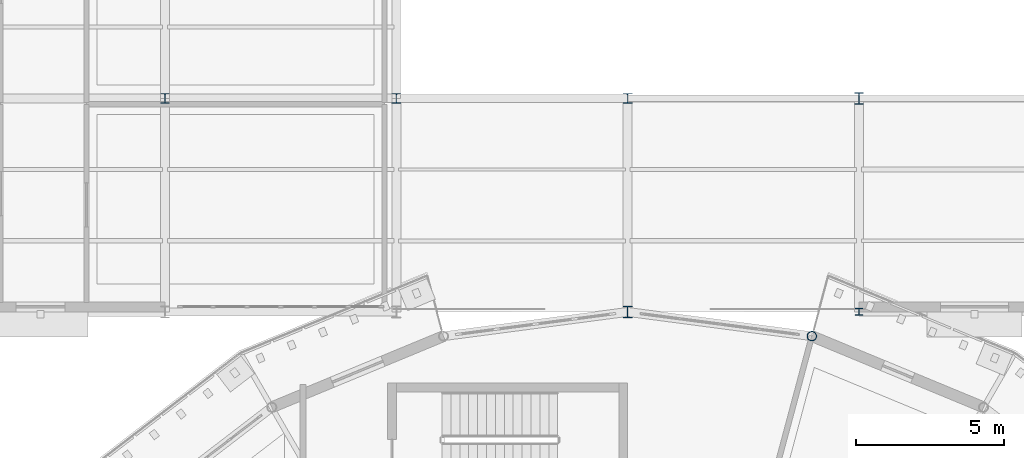
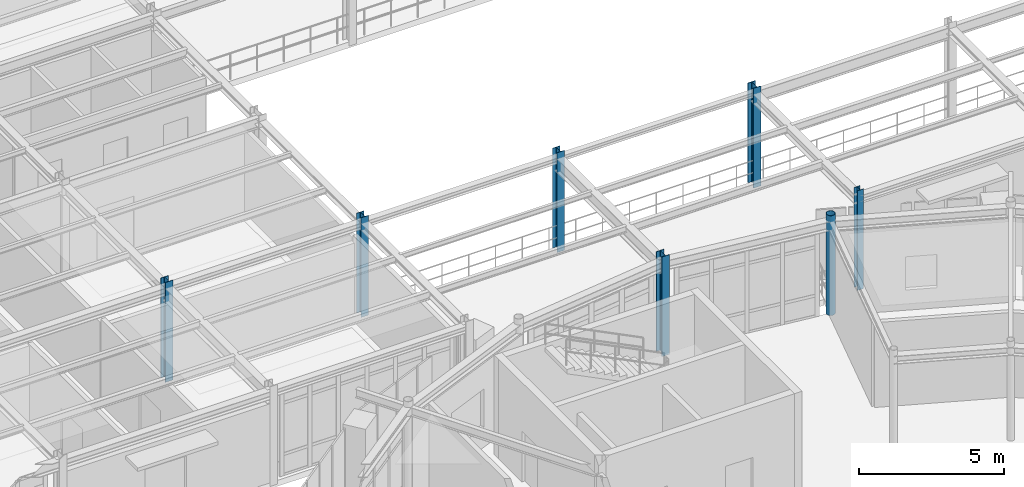
# One storey, part 17 of 90: 7 columns.
"""IFC4 building model written with IfcOpenShell, lengths in metres."""

from ifc_helpers import new_model, si_unit, derived_unit, direction, frame, origin, origin_2d, place, context, subcontext, project, spatial, hollow_circle, i_section, extrude, material, material_profile, profile_set, type_object, element, save


model = new_model("IFC4")

# Units and contexts
model_context = context("Model", 3, precision=1e-05, world=origin(), true_north=direction((0.0, 1.0)))
body_context = subcontext(model_context, "Body", "Model", "MODEL_VIEW")
ifc_project = project(units=[si_unit("LENGTHUNIT", "METRE"), si_unit("AREAUNIT", "SQUARE_METRE"), si_unit("VOLUMEUNIT", "CUBIC_METRE"), si_unit("PLANEANGLEUNIT", "RADIAN"), si_unit("MASSUNIT", "GRAM", prefix="KILO"), derived_unit("THERMALTRANSMITTANCEUNIT", [(si_unit("POWERUNIT", "WATT"), 1), (si_unit("AREAUNIT", "SQUARE_METRE"), -1), (si_unit("THERMODYNAMICTEMPERATUREUNIT", "KELVIN"), -1)])], contexts=[model_context])

# Site, building, storey
site_placement = place(None, origin())
site = spatial("IfcSite", under=ifc_project, at=site_placement, CompositionType="ELEMENT")
building_placement = place(site_placement, origin())
building = spatial("IfcBuilding", under=site, at=building_placement, Name="Yasenodar Specialist Clinic", CompositionType="ELEMENT")
storey_placement = place(building_placement, frame((0.0, 0.0, 9.0)))
storey = spatial("IfcBuildingStorey", under=building, at=storey_placement, Name="L02", CompositionType="ELEMENT", Elevation=9.0)

# Columns
ifc_material = material(Name="Steel S355", Category="steel")
ifc_material_profile_1 = material_profile(ifc_material, hollow_circle(Radius=0.161865234375, WallThickness=0.01611328125, at=origin_2d()), Name="CHS 323.9x16")
ifc_profile_set_1 = profile_set([ifc_material_profile_1], Name="Steel S355")
column_type_1 = type_object("IfcColumnType", Name="COL-ST-CHS324", PredefinedType="COLUMN", material=ifc_profile_set_1)
column_1_placement = place(storey_placement, frame((87.211669921875, 81.982177734375, 0.0), z_axis=(0.0, 0.0, 1.0), x_axis=(1.0, 0.0, 0.0)))
element("IfcColumn", 1, at=column_1_placement, inside=storey, type_object=column_type_1, Name="L02 Drum V1 Outer Column 06", PredefinedType="COLUMN", context=body_context, shape_type="SweptSolid", body=[
    extrude(hollow_circle(Radius=0.161865234375, WallThickness=0.01611328125, at=origin_2d()), origin(), (0.0, 0.0, 1.0), 4.199951171875),
])
ifc_material_profile_2 = material_profile(ifc_material, i_section(OverallWidth=0.300048828125, OverallDepth=0.330078125, WebThickness=0.009521484375, FlangeThickness=0.0166015625, FilletRadius=0.027099609375, at=origin_2d()), Name="HEA 340")
ifc_profile_set_2 = profile_set([ifc_material_profile_2], Name="Steel S355")
column_type_2 = type_object("IfcColumnType", Name="COL-ST-HEA340", PredefinedType="COLUMN", material=ifc_profile_set_2)
for number, where, z_axis, x_axis, name in (
    (2, (65.39990234375, 90.0, 0.0), (0.0, 0.0, 1.0), (1.0, 0.0, 0.0), "L02 Column V5-094"),
    (3, (73.199951171875, 90.0, 0.0), (0.0, 0.0, 1.0), (1.0, 0.0, 0.0), "L02 Column V5-099"),
    (4, (81.0, 90.0, 0.0), (0.0, 0.0, 1.0), (1.0, 0.0, 0.0), "L02 Column V5-104"),
):
    element("IfcColumn", number, at=place(storey_placement, frame(where, z_axis=z_axis, x_axis=x_axis)), inside=storey, type_object=column_type_2, Name=name, PredefinedType="COLUMN", context=body_context, shape_type="SweptSolid", body=[
        extrude(i_section(OverallWidth=0.300048828125, OverallDepth=0.330078125, WebThickness=0.009521484375, FlangeThickness=0.0166015625, FilletRadius=0.027099609375, at=origin_2d()), origin(), (0.0, 0.0, 1.0), 4.199951171875),
    ])
ifc_material_profile_3 = material_profile(ifc_material, i_section(OverallWidth=0.300048828125, OverallDepth=0.389892578125, WebThickness=0.010986328125, FlangeThickness=0.01904296875, FilletRadius=0.027099609375, at=origin_2d()), Name="HEA 400")
ifc_profile_set_3 = profile_set([ifc_material_profile_3], Name="Steel S355")
column_type_3 = type_object("IfcColumnType", Name="COL-ST-HEA400", PredefinedType="COLUMN", material=ifc_profile_set_3)
for number, where, z_axis, x_axis, name in (
    (5, (81.0, 82.800048828125, 0.0), (0.0, 0.0, 1.0), (1.0, 0.0, 0.0), "L02 Column V5-103"),
    (6, (88.800048828125, 90.0, 0.0), (0.0, 0.0, 1.0), (1.0, 0.0, 0.0), "L02 Column V5-108"),
):
    element("IfcColumn", number, at=place(storey_placement, frame(where, z_axis=z_axis, x_axis=x_axis)), inside=storey, type_object=column_type_3, Name=name, PredefinedType="COLUMN", context=body_context, shape_type="SweptSolid", body=[
        extrude(i_section(OverallWidth=0.300048828125, OverallDepth=0.389892578125, WebThickness=0.010986328125, FlangeThickness=0.01904296875, FilletRadius=0.027099609375, at=origin_2d()), origin(), (0.0, 0.0, 1.0), 4.199951171875),
    ])
ifc_material_profile_4 = material_profile(ifc_material, i_section(OverallWidth=0.239990234375, OverallDepth=0.239990234375, WebThickness=0.010009765625, FlangeThickness=0.01708984375, FilletRadius=0.02099609375, at=origin_2d()), Name="HEB 240")
ifc_profile_set_4 = profile_set([ifc_material_profile_4], Name="Steel S355")
column_type_4 = type_object("IfcColumnType", Name="COL-ST-HEB240", PredefinedType="COLUMN", material=ifc_profile_set_4)
column_2_placement = place(storey_placement, frame((88.800048828125, 82.800048828125, 0.0), z_axis=(0.0, 0.0, 1.0), x_axis=(1.0, 0.0, 0.0)))
element("IfcColumn", 7, at=column_2_placement, inside=storey, type_object=column_type_4, Name="L02 Column V5-107", PredefinedType="COLUMN", context=body_context, shape_type="SweptSolid", body=[
    extrude(i_section(OverallWidth=0.239990234375, OverallDepth=0.239990234375, WebThickness=0.010009765625, FlangeThickness=0.01708984375, FilletRadius=0.02099609375, at=origin_2d()), origin(), (0.0, 0.0, 1.0), 4.199951171875),
])

save(model, "model.ifc")
